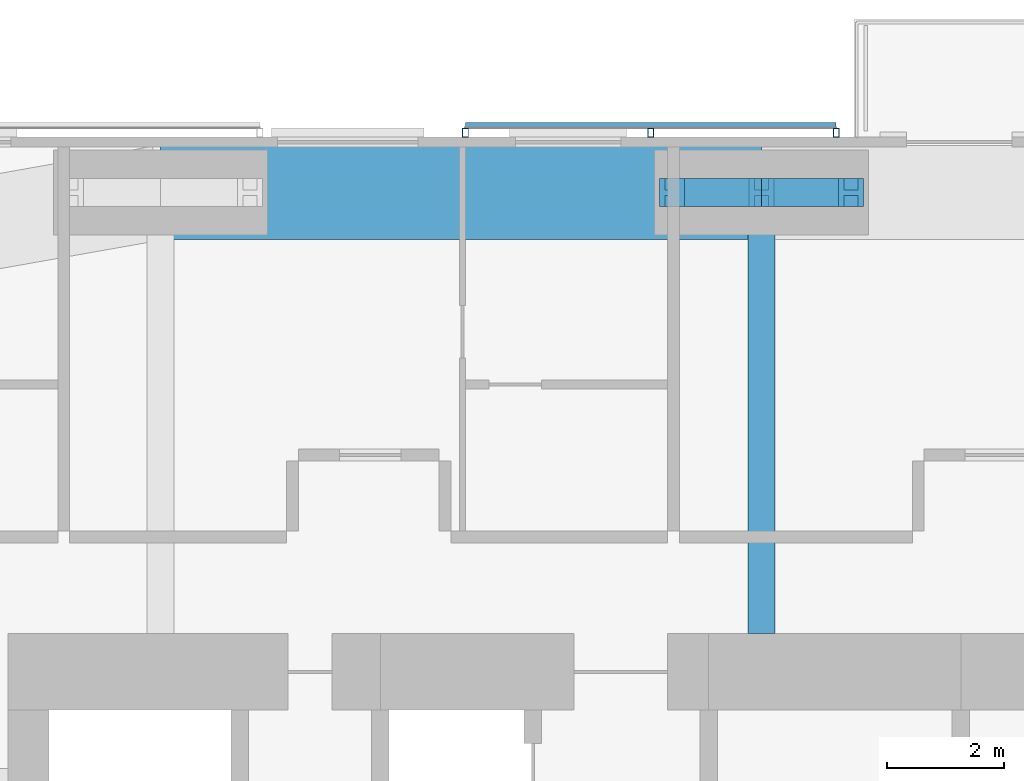
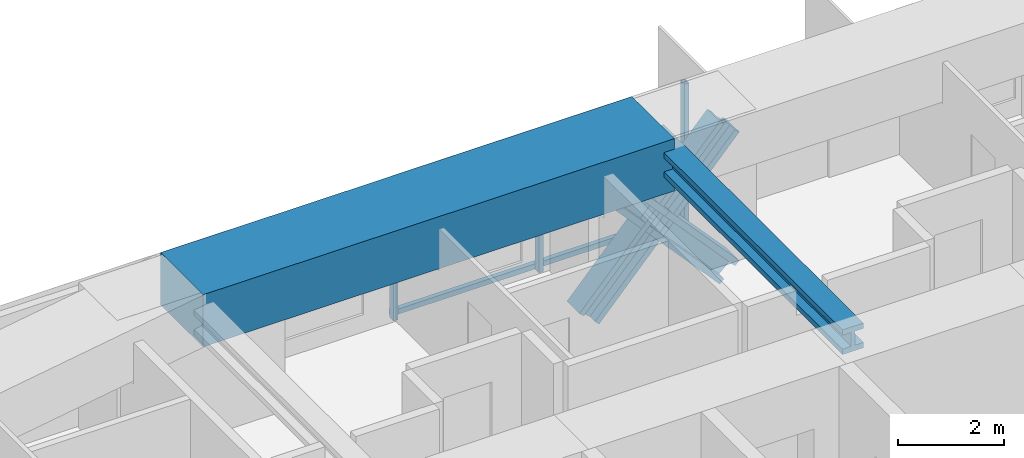
# One storey, part 12 of 23: 8 members, 2 beams, 1 element without a shape of its own.
"""IFC4 building model written with IfcOpenShell, lengths in metres."""

from ifc_helpers import new_model, si_unit, direction, frame, origin, origin_2d, place, context, subcontext, project, spatial, rectangle, hollow_rectangle, i_section, extrude, material, material_profile, profile_set, type_object, element, aggregate, save


model = new_model("IFC4")

# Units and contexts
model_context = context("Model", 3, precision=1e-05, world=origin(), true_north=direction((0.0, 1.0)))
body_context = subcontext(model_context, "Body", "Model", "MODEL_VIEW")
ifc_project = project(units=[si_unit("LENGTHUNIT", "METRE"), si_unit("AREAUNIT", "SQUARE_METRE"), si_unit("VOLUMEUNIT", "CUBIC_METRE"), si_unit("PLANEANGLEUNIT", "RADIAN"), si_unit("MASSUNIT", "GRAM", prefix="KILO")], contexts=[model_context])

# Site, building, storey
site_placement = place(None, origin())
site = spatial("IfcSite", under=ifc_project, at=site_placement, CompositionType="ELEMENT")
building_placement = place(site_placement, origin())
building = spatial("IfcBuilding", under=site, at=building_placement, Name="Jalousie Tower", CompositionType="ELEMENT")
storey_placement = place(building_placement, frame((0.0, 0.0, 191.199951171875)))
storey = spatial("IfcBuildingStorey", under=building, at=storey_placement, Name="L52", CompositionType="ELEMENT", Elevation=191.199951171875)

# Beam
ifc_material_1 = material(Name="Steel ASTM A992 Grade 50", Category="steel")
ifc_material_profile_1 = material_profile(ifc_material_1, i_section(OverallWidth=0.45458984375, OverallDepth=0.569091796875, WebThickness=0.077880859375, FlangeThickness=0.124755859375, at=origin_2d()), Name="W14X730")
ifc_profile_set_1 = profile_set([ifc_material_profile_1], Name="Steel ASTM A992 Grade 50")
beam_type_1 = type_object("IfcBeamType", Name="LEAN COLLECTOR W14X730", PredefinedType="BEAM", material=ifc_profile_set_1)
beam_1_placement = place(storey_placement, frame((32.5, 35.050048828125, 2.825439453125), z_axis=(0.0, -1.0, 0.0), x_axis=(1.0, 0.0, 0.0)))
element("IfcBeam", 1, at=beam_1_placement, inside=storey, type_object=beam_type_1, Name="Lean collector under L53", PredefinedType="BEAM", context=body_context, shape_type="SweptSolid", body=[
    extrude(i_section(OverallWidth=0.45458984375, OverallDepth=0.569091796875, WebThickness=0.077880859375, FlangeThickness=0.124755859375, at=origin_2d()), origin(), (0.0, 0.0, 1.0), 7.525146484375),
])

# Members
ifc_material_2 = material(Name="Steel ASTM A992 Grade 50", Category="steel")
ifc_material_profile_2 = material_profile(ifc_material_2, i_section(OverallWidth=0.472412109375, OverallDepth=0.5791015625, WebThickness=0.094970703125, FlangeThickness=0.1298828125, at=origin_2d()), Name="W14X808")
ifc_profile_set_2 = profile_set([ifc_material_profile_2], Name="Steel ASTM A992 Grade 50")
member_type_1 = type_object("IfcMemberType", Name="PERIMETER BRACE W14X808", PredefinedType="BRACE", material=ifc_profile_set_2)
for number, where, z_axis, x_axis, name in (
    (2, (30.97509765625, 35.050048828125, -0.599853515625), (0.673241284601, 0.0, 0.739422864611), (0.0, 1.0, 0.0), "Perimeter brace 10 L52 part 1"),
    (3, (32.5, 35.050048828125, 1.074951171875), (0.673187629365, 0.0, 0.739471713908), (0.0, 1.0, 0.0), "Perimeter brace 10 L52 part 2"),
    (4, (34.02490234375, 35.050048828125, -0.599853515625), (-0.673241284601, 0.0, 0.739422864611), (0.0, -1.0, 0.0), "Perimeter brace 10 L52 part 3"),
    (5, (32.5, 35.050048828125, 1.074951171875), (-0.673187629365, 0.0, 0.739471713908), (0.0, -1.0, 0.0), "Perimeter brace 10 L52 part 4"),
):
    element("IfcMember", number, at=place(storey_placement, frame(where, z_axis=z_axis, x_axis=x_axis)), inside=storey, type_object=member_type_1, Name=name, PredefinedType="BRACE", context=body_context, shape_type="SweptSolid", body=[
        extrude(i_section(OverallWidth=0.472412109375, OverallDepth=0.5791015625, WebThickness=0.094970703125, FlangeThickness=0.1298828125, at=origin_2d()), origin(), (0.0, 0.0, 1.0), 2.26513671875),
    ])

# Beam
ifc_material_3 = material(Name="Concrete f'c 40 MPa", Category="concrete")
ifc_material_profile_3 = material_profile(ifc_material_3, rectangle(XDim=1.60009765625, YDim=1.199951171875, at=origin_2d()), Name="RC 1600x1200")
ifc_profile_set_3 = profile_set([ifc_material_profile_3], Name="Concrete f'c 40 MPa")
beam_type_2 = type_object("IfcBeamType", Name="RC BEAM 1600x1200", PredefinedType="BEAM", material=ifc_profile_set_3)
beam_2_placement = place(storey_placement, frame((32.5, 35.050048828125, 2.75), z_axis=(-1.0, 0.0, 0.0), x_axis=(0.0, -1.0, 0.0)))
element("IfcBeam", 6, at=beam_2_placement, inside=storey, type_object=beam_type_2, Name="Edge band beam 10-11 under L53", PredefinedType="BEAM", context=body_context, shape_type="SweptSolid", body=[
    extrude(rectangle(XDim=1.60009765625, YDim=1.199951171875, at=origin_2d()), origin(), (0.0, 0.0, 1.0), 10.25),
])

# Curtain wall, members
ifc_material_4 = material(Name="Perforated aluminium sheet", Category="aluminium")
curtain_wall_type = type_object("IfcCurtainWallType", Name="SOLAR SCREEN SS-1", PredefinedType="USERDEFINED", material=ifc_material_4)
curtain_wall_placement = place(storey_placement, origin())
curtain_wall = element("IfcCurtainWall", 7, at=curtain_wall_placement, inside=storey, type_object=curtain_wall_type, Name="Solar screen L52", ObjectType="SOLAR SCREEN SS-1", PredefinedType="USERDEFINED")
ifc_material_5 = material(Name="Steel ASTM A500 Grade C", Category="steel")
ifc_material_profile_4 = material_profile(ifc_material_5, hollow_rectangle(XDim=0.1015625, YDim=0.15234375, WallThickness=0.00634765625, at=origin_2d()), Name="HSS6X4X1/4")
ifc_profile_set_4 = profile_set([ifc_material_profile_4], Name="Steel ASTM A500 Grade C")
member_type_2 = type_object("IfcMemberType", Name="SOLAR SCREEN SS-1 MULLION", PredefinedType="MULLION", material=ifc_profile_set_4)
member_1_placement = place(storey_placement, frame((33.77490234375, 36.0712890625, -0.119873046875), z_axis=(0.0, 0.0, 1.0), x_axis=(-1.0, 0.0, 0.0)))
member_1 = element("IfcMember", 8, at=member_1_placement, type_object=member_type_2, Name="SS1 post 1", PredefinedType="MULLION", context=body_context, shape_type="SweptSolid", body=[
    extrude(hollow_rectangle(XDim=0.1015625, YDim=0.15234375, WallThickness=0.00634765625, at=origin_2d()), origin(), (0.0, 0.0, 1.0), 3.22998046875),
])
member_2_placement = place(storey_placement, frame((30.612548828125, 36.0712890625, -0.119873046875), z_axis=(0.0, 0.0, 1.0), x_axis=(-1.0, 0.0, 0.0)))
member_2 = element("IfcMember", 9, at=member_2_placement, type_object=member_type_2, Name="SS1 post 2", PredefinedType="MULLION", context=body_context, shape_type="SweptSolid", body=[
    extrude(hollow_rectangle(XDim=0.1015625, YDim=0.15234375, WallThickness=0.00634765625, at=origin_2d()), origin(), (0.0, 0.0, 1.0), 3.22998046875),
])
member_3_placement = place(storey_placement, frame((27.449951171875, 36.0712890625, -0.119873046875), z_axis=(0.0, 0.0, 1.0), x_axis=(-1.0, 0.0, 0.0)))
member_3 = element("IfcMember", 10, at=member_3_placement, type_object=member_type_2, Name="SS1 post 3", PredefinedType="MULLION", context=body_context, shape_type="SweptSolid", body=[
    extrude(hollow_rectangle(XDim=0.1015625, YDim=0.15234375, WallThickness=0.00634765625, at=origin_2d()), origin(), (0.0, 0.0, 1.0), 3.22998046875),
])
ifc_material_6 = material(Name="Extruded aluminium screen rail", Category="aluminium")
ifc_material_profile_5 = material_profile(ifc_material_6, rectangle(XDim=0.1015625, YDim=0.1201171875, at=origin_2d()), Name="RAIL 102x120")
ifc_profile_set_5 = profile_set([ifc_material_profile_5], Name="Extruded aluminium screen rail")
member_type_3 = type_object("IfcMemberType", Name="SOLAR SCREEN SS-1 TRANSOM", PredefinedType="USERDEFINED", material=ifc_profile_set_5)
member_4_placement = place(storey_placement, frame((33.77490234375, 36.1982421875, -0.06005859375), z_axis=(-1.0, 0.0, 0.0), x_axis=(0.0, -1.0, 0.0)))
member_4 = element("IfcMember", 11, at=member_4_placement, type_object=member_type_3, Name="SS1 rail", ObjectType="TRANSOM", PredefinedType="USERDEFINED", context=body_context, shape_type="SweptSolid", body=[
    extrude(rectangle(XDim=0.1015625, YDim=0.1201171875, at=origin_2d()), origin(), (0.0, 0.0, 1.0), 6.324951171875),
])
aggregate(curtain_wall, [member_1, member_2, member_3, member_4])

save(model, "model.ifc")
